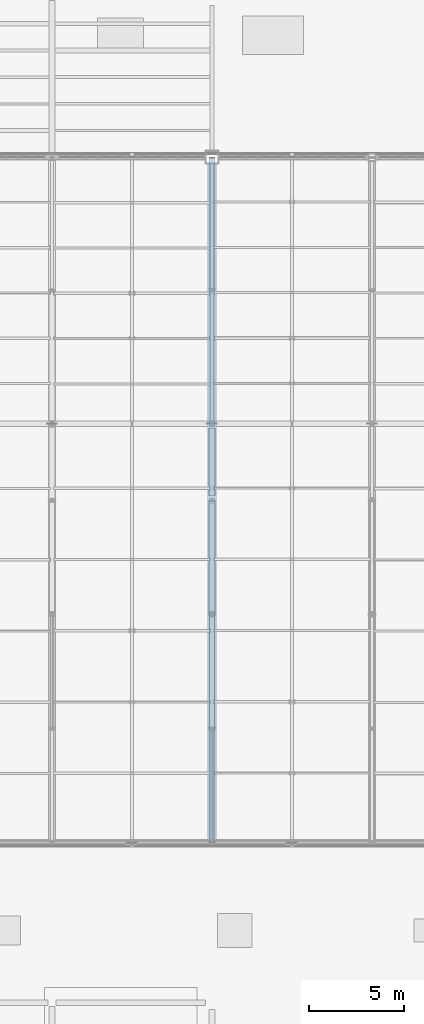
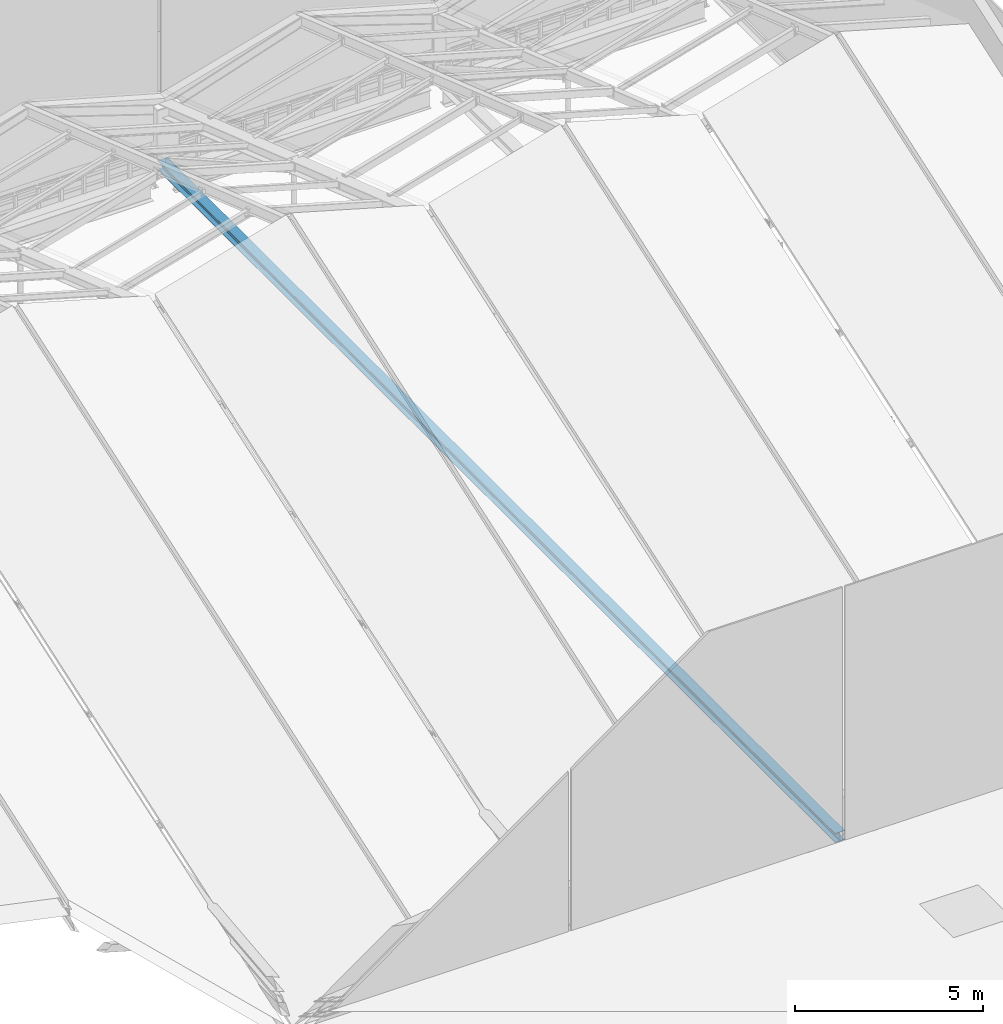
# One storey, part 26 of 77: 1 member.
"""IFC4 building model written with IfcOpenShell, lengths in metres."""

from ifc_helpers import new_model, si_unit, direction, frame, origin, origin_2d, place, context, subcontext, project, spatial, i_section, extrude, material, material_profile, profile_set, type_object, element, save


model = new_model("IFC4")

# Units and contexts
model_context = context("Model", 3, precision=1e-05, world=origin(), true_north=direction((0.0, 1.0)))
body_context = subcontext(model_context, "Body", "Model", "MODEL_VIEW")
ifc_project = project(units=[si_unit("LENGTHUNIT", "METRE"), si_unit("AREAUNIT", "SQUARE_METRE"), si_unit("VOLUMEUNIT", "CUBIC_METRE"), si_unit("PLANEANGLEUNIT", "RADIAN"), si_unit("MASSUNIT", "GRAM", prefix="KILO")], contexts=[model_context])

# Site, building, storey
site_placement = place(None, origin())
site = spatial("IfcSite", under=ifc_project, at=site_placement, CompositionType="ELEMENT")
building_placement = place(site_placement, origin())
building = spatial("IfcBuilding", under=site, at=building_placement, Name="Larkvane Passage Sports Hall", CompositionType="ELEMENT")
storey_placement = place(building_placement, frame((0.0, 0.0, 22.199951171875)))
storey = spatial("IfcBuildingStorey", under=building, at=storey_placement, Name="RF", CompositionType="ELEMENT", Elevation=22.199951171875)

# Member
ifc_material = material(Name="Steel S460N", Category="steel")
ifc_material_profile = material_profile(ifc_material, i_section(OverallWidth=0.300048828125, OverallDepth=0.300048828125, WebThickness=0.010009765625, FlangeThickness=0.014892578125, FilletRadius=0.012939453125, at=origin_2d()), Name="H-300x300x10x15")
ifc_profile_set = profile_set([ifc_material_profile], Name="Steel S460N")
member_type = type_object("IfcMemberType", Name="MBR-CH-H300", PredefinedType="CHORD", material=ifc_profile_set)
member_placement = place(storey_placement, frame((76.800048828125, 39.60009765625, 0.050048828125), z_axis=(0.0, 1.0, 0.0), x_axis=(-1.0, 0.0, 0.0)))
element("IfcMember", 1, at=member_placement, inside=storey, type_object=member_type, Name="Arena roof truss 6 bottom chord", PredefinedType="CHORD", context=body_context, shape_type="SweptSolid", body=[
    extrude(i_section(OverallWidth=0.300048828125, OverallDepth=0.300048828125, WebThickness=0.010009765625, FlangeThickness=0.014892578125, FilletRadius=0.012939453125, at=origin_2d()), origin(), (0.0, 0.0, 1.0), 36.0),
])

save(model, "model.ifc")
